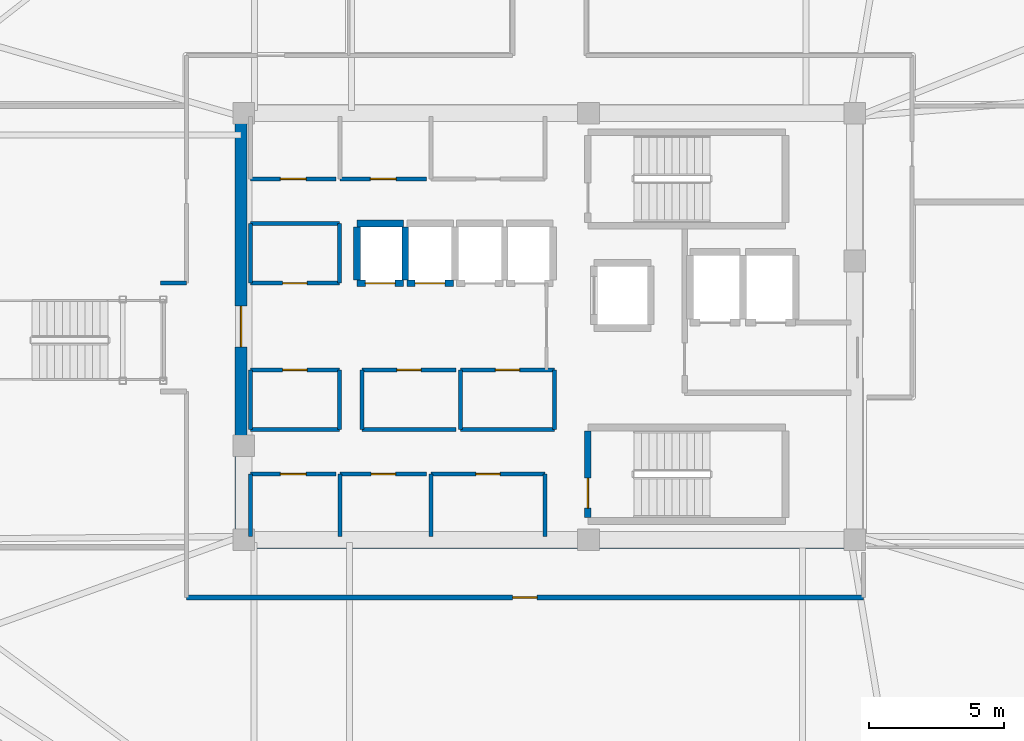
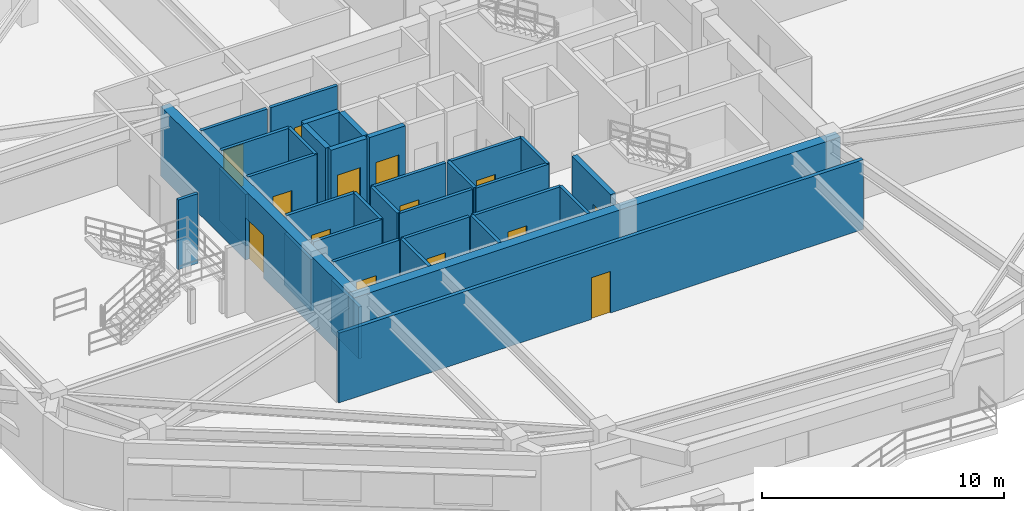
# One storey, part 12 of 18: 34 walls, 14 doors, 14 openings.
"""IFC4 building model written with IfcOpenShell, lengths in metres."""

from ifc_helpers import new_model, si_unit, direction, frame, frame_2d, origin, place, context, subcontext, project, spatial, rectangle, extrude, material, layer, layer_set, type_object, element, fill, save


model = new_model("IFC4")

# Units and contexts
model_context = context("Model", 3, precision=1e-05, world=origin(), true_north=direction((0.0, 1.0)))
body_context = subcontext(model_context, "Body", "Model", "MODEL_VIEW")
ifc_project = project(units=[si_unit("LENGTHUNIT", "METRE"), si_unit("AREAUNIT", "SQUARE_METRE"), si_unit("VOLUMEUNIT", "CUBIC_METRE"), si_unit("PLANEANGLEUNIT", "RADIAN"), si_unit("MASSUNIT", "GRAM", prefix="KILO")], contexts=[model_context])

# Site, building, storey
site_placement = place(None, origin())
site = spatial("IfcSite", under=ifc_project, at=site_placement, CompositionType="ELEMENT")
building_placement = place(site_placement, origin())
building = spatial("IfcBuilding", under=site, at=building_placement, Name="Zulverin Broadcast Headquarters", CompositionType="ELEMENT")
storey_placement = place(building_placement, frame((0.0, 0.0, 225.0)))
storey = spatial("IfcBuildingStorey", under=building, at=storey_placement, Name="L57", CompositionType="ELEMENT", Elevation=225.0)

# Wall
ifc_material_1 = material(Name="Concrete C50/60", Category="concrete")
ifc_layer_1 = layer(ifc_material_1, 0.449951171875, Name="Concrete C50/60", Category="concrete")
ifc_layer_set_1 = layer_set([ifc_layer_1], Name="Concrete C50/60")
wall_type_1 = type_object("IfcWallType", Name="WL-CORE-450", PredefinedType="SHEAR", material=ifc_layer_set_1)
wall_1_placement = place(storey_placement, frame((25.39990234375, 17.22509765625, 0.0), z_axis=(0.0, 0.0, 1.0), x_axis=(1.0, 0.0, 0.0)))
element("IfcWall", 1, at=wall_1_placement, inside=storey, type_object=wall_type_1, Name="L57 Core South Shear Wall", PredefinedType="SHEAR", context=body_context, shape_type="SweptSolid", body=[
    extrude(rectangle(XDim=23.2001953125, YDim=0.449951171875, at=frame_2d((11.60009765625, 0.0))), origin(), (0.0, 0.0, 1.0), 3.510009765625),
])

# Wall, opening, door
wall_2_placement = place(storey_placement, frame((25.625, 17.449951171875, 0.0), z_axis=(0.0, 0.0, 1.0), x_axis=(0.0, 1.0, 0.0)))
wall_2 = element("IfcWall", 2, at=wall_2_placement, inside=storey, type_object=wall_type_1, Name="L57 Core West Shear Wall", PredefinedType="SHEAR", context=body_context, shape_type="SweptSolid", body=[
    extrude(rectangle(XDim=15.5, YDim=0.449951171875, at=frame_2d((7.75, 0.0))), origin(), (0.0, 0.0, 1.0), 3.510009765625),
])
opening_1_placement = place(wall_2_placement, frame((7.0, 0.0, 0.0)))
opening_1 = element("IfcOpeningElement", 3, at=opening_1_placement, cuts=wall_2, Name="Opening D-L57-CW1", PredefinedType="OPENING", context=body_context, shape_type="SweptSolid", body=[
    extrude(rectangle(XDim=1.5, YDim=2.14990234375, at=frame_2d((0.75, 1.074951171875))), frame((0.0, 0.23486328125, 0.0), z_axis=(0.0, -1.0, 0.0), x_axis=(1.0, 0.0, 0.0)), (0.0, 0.0, 1.0), 0.469970703125),
])
ifc_material_2 = material(Name="Fire-rated glazed steel frame", Category="steel")
door_type_1 = type_object("IfcDoorType", Name="DR-COR-1500", OperationType="DOUBLE_DOOR_SINGLE_SWING", PredefinedType="DOOR", material=ifc_material_2)
door_1_placement = place(opening_1_placement, origin())
door_1 = element("IfcDoor", 4, at=door_1_placement, inside=storey, type_object=door_type_1, Name="L57 Central Lift Lobby West Portal Door", OperationType="DOUBLE_DOOR_SINGLE_SWING", OverallHeight=2.14990234375, OverallWidth=1.5, PredefinedType="DOOR", context=body_context, shape_type="SweptSolid", body=[
    extrude(rectangle(XDim=1.5, YDim=2.14990234375, at=frame_2d((0.75, 1.074951171875))), frame((0.0, 0.02490234375, 0.0), z_axis=(0.0, -1.0, 0.0), x_axis=(1.0, 0.0, 0.0)), (0.0, 0.0, 1.0), 0.050048828125),
])
fill(opening_1, door_1)

ifc_material_3 = material(Name="Fire-rated gypsum stud partition", Category="gypsum")
ifc_layer_2 = layer(ifc_material_3, 0.14990234375, Name="Fire-rated gypsum stud partition", Category="gypsum")
ifc_layer_set_2 = layer_set([ifc_layer_2], Name="Fire-rated gypsum stud partition")
wall_type_2 = type_object("IfcWallType", Name="WL-PART-150", PredefinedType="PARTITIONING", material=ifc_layer_set_2)
wall_3_placement = place(storey_placement, frame((25.969970703125, 30.64990234375, 0.0), z_axis=(0.0, 0.0, 1.0), x_axis=(1.0, 0.0, 0.0)))
wall_3 = element("IfcWall", 5, at=wall_3_placement, inside=storey, type_object=wall_type_2, Name="L57 Core Male WC Front Wall", PredefinedType="PARTITIONING", context=body_context, shape_type="SweptSolid", body=[
    extrude(rectangle(XDim=3.150146484375, YDim=0.14990234375, at=frame_2d((1.5751953125, 0.0))), origin(), (0.0, 0.0, 1.0), 3.510009765625),
])
opening_2_placement = place(wall_3_placement, frame((1.10009765625, 0.0, 0.0)))
opening_2 = element("IfcOpeningElement", 6, at=opening_2_placement, cuts=wall_3, Name="Opening D-L57-NC1", PredefinedType="OPENING", context=body_context, shape_type="SweptSolid", body=[
    extrude(rectangle(XDim=0.949951171875, YDim=2.10009765625, at=frame_2d((0.47509765625, 1.050048828125))), frame((0.0, 0.0849609375, 0.0), z_axis=(0.0, -1.0, 0.0), x_axis=(1.0, 0.0, 0.0)), (0.0, 0.0, 1.0), 0.169921875),
])
ifc_material_4 = material(Name="Fire-rated moisture-resistant laminate leaf", Category="wood")
door_type_2 = type_object("IfcDoorType", Name="DR-WC-950", OperationType="SINGLE_SWING_LEFT", PredefinedType="DOOR", material=ifc_material_4)
door_2_placement = place(opening_2_placement, origin())
door_2 = element("IfcDoor", 7, at=door_2_placement, inside=storey, type_object=door_type_2, Name="L57 Male WC Door", OperationType="SINGLE_SWING_LEFT", OverallHeight=2.10009765625, OverallWidth=0.949951171875, PredefinedType="DOOR", context=body_context, shape_type="SweptSolid", body=[
    extrude(rectangle(XDim=0.949951171875, YDim=2.10009765625, at=frame_2d((0.47509765625, 1.050048828125))), frame((0.0, 0.02490234375, 0.0), z_axis=(0.0, -1.0, 0.0), x_axis=(1.0, 0.0, 0.0)), (0.0, 0.0, 1.0), 0.050048828125),
])
fill(opening_2, door_2)

wall_4_placement = place(storey_placement, frame((29.280029296875, 30.64990234375, 0.0), z_axis=(0.0, 0.0, 1.0), x_axis=(1.0, 0.0, 0.0)))
wall_4 = element("IfcWall", 8, at=wall_4_placement, inside=storey, type_object=wall_type_2, Name="L57 Core Accessible WC Front Wall", PredefinedType="PARTITIONING", context=body_context, shape_type="SweptSolid", body=[
    extrude(rectangle(XDim=3.18994140625, YDim=0.14990234375, at=frame_2d((1.594970703125, 0.0))), origin(), (0.0, 0.0, 1.0), 3.510009765625),
])
opening_3_placement = place(wall_4_placement, frame((1.1201171875, 0.0, 0.0)))
opening_3 = element("IfcOpeningElement", 9, at=opening_3_placement, cuts=wall_4, Name="Opening D-L57-NC2", PredefinedType="OPENING", context=body_context, shape_type="SweptSolid", body=[
    extrude(rectangle(XDim=0.949951171875, YDim=2.10009765625, at=frame_2d((0.47509765625, 1.050048828125))), frame((0.0, 0.0849609375, 0.0), z_axis=(0.0, -1.0, 0.0), x_axis=(1.0, 0.0, 0.0)), (0.0, 0.0, 1.0), 0.169921875),
])
door_3_placement = place(opening_3_placement, origin())
door_3 = element("IfcDoor", 10, at=door_3_placement, inside=storey, type_object=door_type_2, Name="L57 Accessible WC Door", OperationType="SINGLE_SWING_RIGHT", OverallHeight=2.10009765625, OverallWidth=0.949951171875, PredefinedType="DOOR", context=body_context, shape_type="SweptSolid", body=[
    extrude(rectangle(XDim=0.949951171875, YDim=2.10009765625, at=frame_2d((0.47509765625, 1.050048828125))), frame((0.0, 0.02490234375, 0.0), z_axis=(0.0, -1.0, 0.0), x_axis=(1.0, 0.0, 0.0)), (0.0, 0.0, 1.0), 0.050048828125),
])
fill(opening_3, door_3)

wall_5_placement = place(storey_placement, frame((25.969970703125, 19.75, 0.0), z_axis=(0.0, 0.0, 1.0), x_axis=(1.0, 0.0, 0.0)))
wall_5 = element("IfcWall", 11, at=wall_5_placement, inside=storey, type_object=wall_type_2, Name="L57 Core Female WC Front Wall", PredefinedType="PARTITIONING", context=body_context, shape_type="SweptSolid", body=[
    extrude(rectangle(XDim=3.150146484375, YDim=0.14990234375, at=frame_2d((1.5751953125, 0.0))), origin(), (0.0, 0.0, 1.0), 3.510009765625),
])
opening_4_placement = place(wall_5_placement, frame((1.10009765625, 0.0, 0.0)))
opening_4 = element("IfcOpeningElement", 12, at=opening_4_placement, cuts=wall_5, Name="Opening D-L57-SC1", PredefinedType="OPENING", context=body_context, shape_type="SweptSolid", body=[
    extrude(rectangle(XDim=0.949951171875, YDim=2.10009765625, at=frame_2d((0.47509765625, 1.050048828125))), frame((0.0, 0.0849609375, 0.0), z_axis=(0.0, -1.0, 0.0), x_axis=(1.0, 0.0, 0.0)), (0.0, 0.0, 1.0), 0.169921875),
])
door_4_placement = place(opening_4_placement, origin())
door_4 = element("IfcDoor", 13, at=door_4_placement, inside=storey, type_object=door_type_2, Name="L57 Female WC Door", OperationType="SINGLE_SWING_RIGHT", OverallHeight=2.10009765625, OverallWidth=0.949951171875, PredefinedType="DOOR", context=body_context, shape_type="SweptSolid", body=[
    extrude(rectangle(XDim=0.949951171875, YDim=2.10009765625, at=frame_2d((0.47509765625, 1.050048828125))), frame((0.0, 0.02490234375, 0.0), z_axis=(0.0, -1.0, 0.0), x_axis=(1.0, 0.0, 0.0)), (0.0, 0.0, 1.0), 0.050048828125),
])
fill(opening_4, door_4)

# Wall
wall_6_placement = place(storey_placement, frame((25.969970703125, 17.449951171875, 0.0), z_axis=(0.0, 0.0, 1.0), x_axis=(0.0, 1.0, 0.0)))
element("IfcWall", 14, at=wall_6_placement, inside=storey, type_object=wall_type_2, Name="L57 Core Female WC West Wall", PredefinedType="PARTITIONING", context=body_context, shape_type="SweptSolid", body=[
    extrude(rectangle(XDim=2.300048828125, YDim=0.14990234375, at=frame_2d((1.14990234375, 0.0))), origin(), (0.0, 0.0, 1.0), 2.610107421875),
])

# Wall, opening, door
wall_7_placement = place(storey_placement, frame((29.280029296875, 19.75, 0.0), z_axis=(0.0, 0.0, 1.0), x_axis=(1.0, 0.0, 0.0)))
wall_7 = element("IfcWall", 15, at=wall_7_placement, inside=storey, type_object=wall_type_2, Name="L57 Core Cleaner Store Front Wall", PredefinedType="PARTITIONING", context=body_context, shape_type="SweptSolid", body=[
    extrude(rectangle(XDim=3.18994140625, YDim=0.14990234375, at=frame_2d((1.594970703125, 0.0))), origin(), (0.0, 0.0, 1.0), 3.510009765625),
])
opening_5_placement = place(wall_7_placement, frame((1.14501953125, 0.0, 0.0)))
opening_5 = element("IfcOpeningElement", 16, at=opening_5_placement, cuts=wall_7, Name="Opening D-L57-SC2", PredefinedType="OPENING", context=body_context, shape_type="SweptSolid", body=[
    extrude(rectangle(XDim=0.89990234375, YDim=2.10009765625, at=frame_2d((0.449951171875, 1.050048828125))), frame((0.0, 0.0849609375, 0.0), z_axis=(0.0, -1.0, 0.0), x_axis=(1.0, 0.0, 0.0)), (0.0, 0.0, 1.0), 0.169921875),
])
ifc_material_5 = material(Name="Powder-coated steel access leaf", Category="steel")
door_type_3 = type_object("IfcDoorType", Name="DR-RISER-900", OperationType="SINGLE_SWING_LEFT", PredefinedType="DOOR", material=ifc_material_5)
door_5_placement = place(opening_5_placement, origin())
door_5 = element("IfcDoor", 17, at=door_5_placement, inside=storey, type_object=door_type_3, Name="L57 Cleaner Store Door", OperationType="SINGLE_SWING_LEFT", OverallHeight=2.10009765625, OverallWidth=0.89990234375, PredefinedType="DOOR", context=body_context, shape_type="SweptSolid", body=[
    extrude(rectangle(XDim=0.89990234375, YDim=2.10009765625, at=frame_2d((0.449951171875, 1.050048828125))), frame((0.0, 0.02490234375, 0.0), z_axis=(0.0, -1.0, 0.0), x_axis=(1.0, 0.0, 0.0)), (0.0, 0.0, 1.0), 0.050048828125),
])
fill(opening_5, door_5)

# Wall
wall_8_placement = place(storey_placement, frame((29.280029296875, 17.449951171875, 0.0), z_axis=(0.0, 0.0, 1.0), x_axis=(0.0, 1.0, 0.0)))
element("IfcWall", 18, at=wall_8_placement, inside=storey, type_object=wall_type_2, Name="L57 Core Cleaner Store West Wall", PredefinedType="PARTITIONING", context=body_context, shape_type="SweptSolid", body=[
    extrude(rectangle(XDim=2.300048828125, YDim=0.14990234375, at=frame_2d((1.14990234375, 0.0))), origin(), (0.0, 0.0, 1.0), 3.510009765625),
])

# Wall, opening, door
wall_9_placement = place(storey_placement, frame((32.6298828125, 19.75, 0.0), z_axis=(0.0, 0.0, 1.0), x_axis=(1.0, 0.0, 0.0)))
wall_9 = element("IfcWall", 19, at=wall_9_placement, inside=storey, type_object=wall_type_2, Name="L57 Core Broadcast Fibre Riser Front Wall", PredefinedType="PARTITIONING", context=body_context, shape_type="SweptSolid", body=[
    extrude(rectangle(XDim=4.22021484375, YDim=0.14990234375, at=frame_2d((2.110107421875, 0.0))), origin(), (0.0, 0.0, 1.0), 3.510009765625),
])
opening_6_placement = place(wall_9_placement, frame((1.659912109375, 0.0, 0.0)))
opening_6 = element("IfcOpeningElement", 20, at=opening_6_placement, cuts=wall_9, Name="Opening D-L57-SC3", PredefinedType="OPENING", context=body_context, shape_type="SweptSolid", body=[
    extrude(rectangle(XDim=0.89990234375, YDim=2.10009765625, at=frame_2d((0.449951171875, 1.050048828125))), frame((0.0, 0.0849609375, 0.0), z_axis=(0.0, -1.0, 0.0), x_axis=(1.0, 0.0, 0.0)), (0.0, 0.0, 1.0), 0.169921875),
])
door_6_placement = place(opening_6_placement, origin())
door_6 = element("IfcDoor", 21, at=door_6_placement, inside=storey, type_object=door_type_3, Name="L57 Broadcast Fibre Riser Door", OperationType="SINGLE_SWING_RIGHT", OverallHeight=2.10009765625, OverallWidth=0.89990234375, PredefinedType="DOOR", context=body_context, shape_type="SweptSolid", body=[
    extrude(rectangle(XDim=0.89990234375, YDim=2.10009765625, at=frame_2d((0.449951171875, 1.050048828125))), frame((0.0, 0.02490234375, 0.0), z_axis=(0.0, -1.0, 0.0), x_axis=(1.0, 0.0, 0.0)), (0.0, 0.0, 1.0), 0.050048828125),
])
fill(opening_6, door_6)

# Walls
for number, where, z_axis, x_axis, name in (
    (22, (32.6298828125, 17.449951171875, 0.0), (0.0, 0.0, 1.0), (0.0, 1.0, 0.0), "L57 Core Broadcast Fibre Riser West Wall"),
    (23, (36.85009765625, 17.449951171875, 0.0), (0.0, 0.0, 1.0), (0.0, 1.0, 0.0), "L57 Core Broadcast Fibre Riser East Wall"),
):
    element("IfcWall", number, at=place(storey_placement, frame(where, z_axis=z_axis, x_axis=x_axis)), inside=storey, type_object=wall_type_2, Name=name, PredefinedType="PARTITIONING", context=body_context, shape_type="SweptSolid", body=[
        extrude(rectangle(XDim=2.300048828125, YDim=0.14990234375, at=frame_2d((1.14990234375, 0.0))), origin(), (0.0, 0.0, 1.0), 3.510009765625),
    ])

# Wall, opening, door
wall_10_placement = place(storey_placement, frame((25.969970703125, 26.800048828125, 0.0), z_axis=(0.0, 0.0, 1.0), x_axis=(1.0, 0.0, 0.0)))
wall_10 = element("IfcWall", 24, at=wall_10_placement, inside=storey, type_object=wall_type_2, Name="L57 Core UPS Battery Store S Wall", PredefinedType="PARTITIONING", context=body_context, shape_type="SweptSolid", body=[
    extrude(rectangle(XDim=3.280029296875, YDim=0.14990234375, at=frame_2d((1.64013671875, 0.0))), origin(), (0.0, 0.0, 1.0), 3.510009765625),
])
opening_7_placement = place(wall_10_placement, frame((1.18994140625, 0.0, 0.0)))
opening_7 = element("IfcOpeningElement", 25, at=opening_7_placement, cuts=wall_10, Name="Opening D-L57-RCLN", PredefinedType="OPENING", context=body_context, shape_type="SweptSolid", body=[
    extrude(rectangle(XDim=0.89990234375, YDim=2.10009765625, at=frame_2d((0.449951171875, 1.050048828125))), frame((0.0, 0.0849609375, 0.0), z_axis=(0.0, -1.0, 0.0), x_axis=(1.0, 0.0, 0.0)), (0.0, 0.0, 1.0), 0.169921875),
])
door_7_placement = place(opening_7_placement, origin())
door_7 = element("IfcDoor", 26, at=door_7_placement, inside=storey, type_object=door_type_3, Name="L57 Core UPS Battery Store Door", OperationType="SINGLE_SWING_LEFT", OverallHeight=2.10009765625, OverallWidth=0.89990234375, PredefinedType="DOOR", context=body_context, shape_type="SweptSolid", body=[
    extrude(rectangle(XDim=0.89990234375, YDim=2.10009765625, at=frame_2d((0.449951171875, 1.050048828125))), frame((0.0, 0.02490234375, 0.0), z_axis=(0.0, -1.0, 0.0), x_axis=(1.0, 0.0, 0.0)), (0.0, 0.0, 1.0), 0.050048828125),
])
fill(opening_7, door_7)

# Walls
wall_11_placement = place(storey_placement, frame((25.969970703125, 29.0, 0.0), z_axis=(0.0, 0.0, 1.0), x_axis=(1.0, 0.0, 0.0)))
element("IfcWall", 27, at=wall_11_placement, inside=storey, type_object=wall_type_2, Name="L57 Core UPS Battery Store N Wall", PredefinedType="PARTITIONING", context=body_context, shape_type="SweptSolid", body=[
    extrude(rectangle(XDim=3.280029296875, YDim=0.14990234375, at=frame_2d((1.64013671875, 0.0))), origin(), (0.0, 0.0, 1.0), 3.510009765625),
])
wall_12_placement = place(storey_placement, frame((25.969970703125, 26.800048828125, 0.0), z_axis=(0.0, 0.0, 1.0), x_axis=(0.0, 1.0, 0.0)))
element("IfcWall", 28, at=wall_12_placement, inside=storey, type_object=wall_type_2, Name="L57 Core UPS Battery Store W Wall", PredefinedType="PARTITIONING", context=body_context, shape_type="SweptSolid", body=[
    extrude(rectangle(XDim=2.199951171875, YDim=0.14990234375, at=frame_2d((1.10009765625, 0.0))), origin(), (0.0, 0.0, 1.0), 2.610107421875),
])
wall_13_placement = place(storey_placement, frame((29.25, 26.800048828125, 0.0), z_axis=(0.0, 0.0, 1.0), x_axis=(0.0, 1.0, 0.0)))
element("IfcWall", 29, at=wall_13_placement, inside=storey, type_object=wall_type_2, Name="L57 Core UPS Battery Store E Wall", PredefinedType="PARTITIONING", context=body_context, shape_type="SweptSolid", body=[
    extrude(rectangle(XDim=2.199951171875, YDim=0.14990234375, at=frame_2d((1.10009765625, 0.0))), origin(), (0.0, 0.0, 1.0), 3.510009765625),
])
wall_14_placement = place(storey_placement, frame((25.969970703125, 21.39990234375, 0.0), z_axis=(0.0, 0.0, 1.0), x_axis=(1.0, 0.0, 0.0)))
element("IfcWall", 30, at=wall_14_placement, inside=storey, type_object=wall_type_2, Name="L57 Housekeeping Equipment Store S Wall", PredefinedType="PARTITIONING", context=body_context, shape_type="SweptSolid", body=[
    extrude(rectangle(XDim=3.280029296875, YDim=0.14990234375, at=frame_2d((1.64013671875, 0.0))), origin(), (0.0, 0.0, 1.0), 3.510009765625),
])

# Wall, opening, door
wall_15_placement = place(storey_placement, frame((25.969970703125, 23.60009765625, 0.0), z_axis=(0.0, 0.0, 1.0), x_axis=(1.0, 0.0, 0.0)))
wall_15 = element("IfcWall", 31, at=wall_15_placement, inside=storey, type_object=wall_type_2, Name="L57 Housekeeping Equipment Store N Wall", PredefinedType="PARTITIONING", context=body_context, shape_type="SweptSolid", body=[
    extrude(rectangle(XDim=3.280029296875, YDim=0.14990234375, at=frame_2d((1.64013671875, 0.0))), origin(), (0.0, 0.0, 1.0), 3.510009765625),
])
opening_8_placement = place(wall_15_placement, frame((1.18994140625, 0.0, 0.0)))
opening_8 = element("IfcOpeningElement", 32, at=opening_8_placement, cuts=wall_15, Name="Opening D-L57-RCLS", PredefinedType="OPENING", context=body_context, shape_type="SweptSolid", body=[
    extrude(rectangle(XDim=0.89990234375, YDim=2.10009765625, at=frame_2d((0.449951171875, 1.050048828125))), frame((0.0, 0.0849609375, 0.0), z_axis=(0.0, -1.0, 0.0), x_axis=(1.0, 0.0, 0.0)), (0.0, 0.0, 1.0), 0.169921875),
])
door_8_placement = place(opening_8_placement, origin())
door_8 = element("IfcDoor", 33, at=door_8_placement, inside=storey, type_object=door_type_3, Name="L57 Housekeeping Equipment Store Door", OperationType="SINGLE_SWING_RIGHT", OverallHeight=2.10009765625, OverallWidth=0.89990234375, PredefinedType="DOOR", context=body_context, shape_type="SweptSolid", body=[
    extrude(rectangle(XDim=0.89990234375, YDim=2.10009765625, at=frame_2d((0.449951171875, 1.050048828125))), frame((0.0, 0.02490234375, 0.0), z_axis=(0.0, -1.0, 0.0), x_axis=(1.0, 0.0, 0.0)), (0.0, 0.0, 1.0), 0.050048828125),
])
fill(opening_8, door_8)

# Walls
wall_16_placement = place(storey_placement, frame((25.969970703125, 21.39990234375, 0.0), z_axis=(0.0, 0.0, 1.0), x_axis=(0.0, 1.0, 0.0)))
element("IfcWall", 34, at=wall_16_placement, inside=storey, type_object=wall_type_2, Name="L57 Housekeeping Equipment Store W Wall", PredefinedType="PARTITIONING", context=body_context, shape_type="SweptSolid", body=[
    extrude(rectangle(XDim=2.2001953125, YDim=0.14990234375, at=frame_2d((1.10009765625, 0.0))), origin(), (0.0, 0.0, 1.0), 2.610107421875),
])
wall_17_placement = place(storey_placement, frame((29.25, 21.39990234375, 0.0), z_axis=(0.0, 0.0, 1.0), x_axis=(0.0, 1.0, 0.0)))
element("IfcWall", 35, at=wall_17_placement, inside=storey, type_object=wall_type_2, Name="L57 Housekeeping Equipment Store E Wall", PredefinedType="PARTITIONING", context=body_context, shape_type="SweptSolid", body=[
    extrude(rectangle(XDim=2.2001953125, YDim=0.14990234375, at=frame_2d((1.10009765625, 0.0))), origin(), (0.0, 0.0, 1.0), 3.510009765625),
])
wall_18_placement = place(storey_placement, frame((30.080078125, 21.39990234375, 0.0), z_axis=(0.0, 0.0, 1.0), x_axis=(1.0, 0.0, 0.0)))
element("IfcWall", 36, at=wall_18_placement, inside=storey, type_object=wall_type_2, Name="L57 High-Zone Archive Vault Store S Wall", PredefinedType="PARTITIONING", context=body_context, shape_type="SweptSolid", body=[
    extrude(rectangle(XDim=3.47998046875, YDim=0.14990234375, at=frame_2d((1.739990234375, 0.0))), origin(), (0.0, 0.0, 1.0), 3.510009765625),
])

# Wall, opening, door
wall_19_placement = place(storey_placement, frame((30.080078125, 23.60009765625, 0.0), z_axis=(0.0, 0.0, 1.0), x_axis=(1.0, 0.0, 0.0)))
wall_19 = element("IfcWall", 37, at=wall_19_placement, inside=storey, type_object=wall_type_2, Name="L57 High-Zone Archive Vault Store N Wall", PredefinedType="PARTITIONING", context=body_context, shape_type="SweptSolid", body=[
    extrude(rectangle(XDim=3.47998046875, YDim=0.14990234375, at=frame_2d((1.739990234375, 0.0))), origin(), (0.0, 0.0, 1.0), 3.510009765625),
])
opening_9_placement = place(wall_19_placement, frame((1.2900390625, 0.0, 0.0)))
opening_9 = element("IfcOpeningElement", 38, at=opening_9_placement, cuts=wall_19, Name="Opening D-L57-RM1", PredefinedType="OPENING", context=body_context, shape_type="SweptSolid", body=[
    extrude(rectangle(XDim=0.89990234375, YDim=2.10009765625, at=frame_2d((0.449951171875, 1.050048828125))), frame((0.0, 0.0849609375, 0.0), z_axis=(0.0, -1.0, 0.0), x_axis=(1.0, 0.0, 0.0)), (0.0, 0.0, 1.0), 0.169921875),
])
door_9_placement = place(opening_9_placement, origin())
door_9 = element("IfcDoor", 39, at=door_9_placement, inside=storey, type_object=door_type_3, Name="L57 High-Zone Archive Vault Store Door", OperationType="SINGLE_SWING_LEFT", OverallHeight=2.10009765625, OverallWidth=0.89990234375, PredefinedType="DOOR", context=body_context, shape_type="SweptSolid", body=[
    extrude(rectangle(XDim=0.89990234375, YDim=2.10009765625, at=frame_2d((0.449951171875, 1.050048828125))), frame((0.0, 0.02490234375, 0.0), z_axis=(0.0, -1.0, 0.0), x_axis=(1.0, 0.0, 0.0)), (0.0, 0.0, 1.0), 0.050048828125),
])
fill(opening_9, door_9)

# Walls
wall_20_placement = place(storey_placement, frame((30.080078125, 21.39990234375, 0.0), z_axis=(0.0, 0.0, 1.0), x_axis=(0.0, 1.0, 0.0)))
element("IfcWall", 40, at=wall_20_placement, inside=storey, type_object=wall_type_2, Name="L57 High-Zone Archive Vault Store W Wall", PredefinedType="PARTITIONING", context=body_context, shape_type="SweptSolid", body=[
    extrude(rectangle(XDim=2.2001953125, YDim=0.14990234375, at=frame_2d((1.10009765625, 0.0))), origin(), (0.0, 0.0, 1.0), 3.510009765625),
])
wall_21_placement = place(storey_placement, frame((33.719970703125, 21.39990234375, 0.0), z_axis=(0.0, 0.0, 1.0), x_axis=(1.0, 0.0, 0.0)))
element("IfcWall", 41, at=wall_21_placement, inside=storey, type_object=wall_type_2, Name="L57 Executive Floor Pantry Store S Wall", PredefinedType="PARTITIONING", context=body_context, shape_type="SweptSolid", body=[
    extrude(rectangle(XDim=3.47998046875, YDim=0.14990234375, at=frame_2d((1.739990234375, 0.0))), origin(), (0.0, 0.0, 1.0), 3.510009765625),
])

# Wall, opening, door
wall_22_placement = place(storey_placement, frame((33.719970703125, 23.60009765625, 0.0), z_axis=(0.0, 0.0, 1.0), x_axis=(1.0, 0.0, 0.0)))
wall_22 = element("IfcWall", 42, at=wall_22_placement, inside=storey, type_object=wall_type_2, Name="L57 Executive Floor Pantry Store N Wall", PredefinedType="PARTITIONING", context=body_context, shape_type="SweptSolid", body=[
    extrude(rectangle(XDim=3.47998046875, YDim=0.14990234375, at=frame_2d((1.739990234375, 0.0))), origin(), (0.0, 0.0, 1.0), 3.510009765625),
])
opening_10_placement = place(wall_22_placement, frame((1.2900390625, 0.0, 0.0)))
opening_10 = element("IfcOpeningElement", 43, at=opening_10_placement, cuts=wall_22, Name="Opening D-L57-RM2", PredefinedType="OPENING", context=body_context, shape_type="SweptSolid", body=[
    extrude(rectangle(XDim=0.89990234375, YDim=2.10009765625, at=frame_2d((0.449951171875, 1.050048828125))), frame((0.0, 0.0849609375, 0.0), z_axis=(0.0, -1.0, 0.0), x_axis=(1.0, 0.0, 0.0)), (0.0, 0.0, 1.0), 0.169921875),
])
door_10_placement = place(opening_10_placement, origin())
door_10 = element("IfcDoor", 44, at=door_10_placement, inside=storey, type_object=door_type_3, Name="L57 Executive Floor Pantry Store Door", OperationType="SINGLE_SWING_RIGHT", OverallHeight=2.10009765625, OverallWidth=0.89990234375, PredefinedType="DOOR", context=body_context, shape_type="SweptSolid", body=[
    extrude(rectangle(XDim=0.89990234375, YDim=2.10009765625, at=frame_2d((0.449951171875, 1.050048828125))), frame((0.0, 0.02490234375, 0.0), z_axis=(0.0, -1.0, 0.0), x_axis=(1.0, 0.0, 0.0)), (0.0, 0.0, 1.0), 0.050048828125),
])
fill(opening_10, door_10)

# Walls
for number, where, z_axis, x_axis, name in (
    (45, (33.719970703125, 21.39990234375, 0.0), (0.0, 0.0, 1.0), (0.0, 1.0, 0.0), "L57 Executive Floor Pantry Store W Wall"),
    (46, (37.199951171875, 21.39990234375, 0.0), (0.0, 0.0, 1.0), (0.0, 1.0, 0.0), "L57 Executive Floor Pantry Store E Wall"),
):
    element("IfcWall", number, at=place(storey_placement, frame(where, z_axis=z_axis, x_axis=x_axis)), inside=storey, type_object=wall_type_2, Name=name, PredefinedType="PARTITIONING", context=body_context, shape_type="SweptSolid", body=[
        extrude(rectangle(XDim=2.2001953125, YDim=0.14990234375, at=frame_2d((1.10009765625, 0.0))), origin(), (0.0, 0.0, 1.0), 3.510009765625),
    ])
wall_23_placement = place(storey_placement, frame((22.64990234375, 26.800048828125, 0.0), z_axis=(0.0, 0.0, 1.0), x_axis=(1.0, 0.0, 0.0)))
element("IfcWall", 47, at=wall_23_placement, inside=storey, type_object=wall_type_2, Name="L57 Gallery Partition Wall CG-13", PredefinedType="PARTITIONING", context=body_context, shape_type="SweptSolid", body=[
    extrude(rectangle(XDim=0.9501953125, YDim=0.14990234375, at=frame_2d((0.47509765625, 0.0))), origin(), (0.0, 0.0, 1.0), 3.510009765625),
])

# Wall, opening, door
ifc_material_6 = material(Name="Fire-rated acoustic stud wall", Category="gypsum")
ifc_layer_3 = layer(ifc_material_6, 0.175048828125, Name="Fire-rated acoustic stud wall", Category="gypsum")
ifc_layer_set_3 = layer_set([ifc_layer_3], Name="Fire-rated acoustic stud wall")
wall_type_3 = type_object("IfcWallType", Name="WL-PART-175", PredefinedType="PARTITIONING", material=ifc_layer_set_3)
wall_24_placement = place(storey_placement, frame((23.60009765625, 15.199951171875, 0.0), z_axis=(0.0, 0.0, 1.0), x_axis=(1.0, 0.0, 0.0)))
wall_24 = element("IfcWall", 48, at=wall_24_placement, inside=storey, type_object=wall_type_3, Name="L57 Gallery Partition Wall CG-08", PredefinedType="PARTITIONING", context=body_context, shape_type="SweptSolid", body=[
    extrude(rectangle(XDim=25.0, YDim=0.175048828125, at=frame_2d((12.5, 0.0))), origin(), (0.0, 0.0, 1.0), 3.510009765625),
])
opening_11_placement = place(wall_24_placement, frame((12.050048828125, 0.0, 0.0)))
opening_11 = element("IfcOpeningElement", 49, at=opening_11_placement, cuts=wall_24, Name="Opening D-L57-04", PredefinedType="OPENING", context=body_context, shape_type="SweptSolid", body=[
    extrude(rectangle(XDim=0.89990234375, YDim=2.10009765625, at=frame_2d((0.449951171875, 1.050048828125))), frame((0.0, 0.097412109375, 0.0), z_axis=(0.0, -1.0, 0.0), x_axis=(1.0, 0.0, 0.0)), (0.0, 0.0, 1.0), 0.195068359375),
])
ifc_material_7 = material(Name="Fire-rated hardwood veneer timber leaf", Category="wood")
door_type_4 = type_object("IfcDoorType", Name="DR-ROOM-900", OperationType="SINGLE_SWING_RIGHT", PredefinedType="DOOR", material=ifc_material_7)
door_11_placement = place(opening_11_placement, origin())
door_11 = element("IfcDoor", 50, at=door_11_placement, inside=storey, type_object=door_type_4, Name="L57 Servery Pantry Door", OperationType="SINGLE_SWING_LEFT", OverallHeight=2.10009765625, OverallWidth=0.89990234375, PredefinedType="DOOR", context=body_context, shape_type="SweptSolid", body=[
    extrude(rectangle(XDim=0.89990234375, YDim=2.10009765625, at=frame_2d((0.449951171875, 1.050048828125))), frame((0.0, 0.02490234375, 0.0), z_axis=(0.0, -1.0, 0.0), x_axis=(1.0, 0.0, 0.0)), (0.0, 0.0, 1.0), 0.050048828125),
])
fill(opening_11, door_11)

ifc_layer_4 = layer(ifc_material_1, 0.25, Name="Concrete C50/60", Category="concrete")
ifc_layer_set_4 = layer_set([ifc_layer_4], Name="Concrete C50/60")
wall_type_4 = type_object("IfcWallType", Name="WL-SHAFT-250", PredefinedType="SHEAR", material=ifc_layer_set_4)
wall_25_placement = place(storey_placement, frame((38.425048828125, 18.14990234375, 0.0), z_axis=(0.0, 0.0, 1.0), x_axis=(0.0, 1.0, 0.0)))
wall_25 = element("IfcWall", 51, at=wall_25_placement, inside=storey, type_object=wall_type_4, Name="L57 ST-2 Enclosure Wall W", PredefinedType="SHEAR", context=body_context, shape_type="SweptSolid", body=[
    extrude(rectangle(XDim=3.2001953125, YDim=0.25, at=frame_2d((1.60009765625, 0.0))), origin(), (0.0, 0.0, 1.0), 3.510009765625),
])
opening_12_placement = place(wall_25_placement, frame((0.35009765625, 0.0, 0.0)))
opening_12 = element("IfcOpeningElement", 52, at=opening_12_placement, cuts=wall_25, Name="Opening D-L57-ST-2", PredefinedType="OPENING", context=body_context, shape_type="SweptSolid", body=[
    extrude(rectangle(XDim=1.10009765625, YDim=2.14990234375, at=frame_2d((0.550048828125, 1.074951171875))), frame((0.0, 0.135009765625, 0.0), z_axis=(0.0, -1.0, 0.0), x_axis=(1.0, 0.0, 0.0)), (0.0, 0.0, 1.0), 0.27001953125),
])
ifc_material_8 = material(Name="Fire-rated steel leaf and frame", Category="steel")
door_type_5 = type_object("IfcDoorType", Name="DR-STAIR-1100", OperationType="SINGLE_SWING_LEFT", PredefinedType="DOOR", material=ifc_material_8)
door_12_placement = place(opening_12_placement, origin())
door_12 = element("IfcDoor", 53, at=door_12_placement, inside=storey, type_object=door_type_5, Name="L57 Exit Stair ST-2 Fire Door", OperationType="SINGLE_SWING_RIGHT", OverallHeight=2.14990234375, OverallWidth=1.10009765625, PredefinedType="DOOR", context=body_context, shape_type="SweptSolid", body=[
    extrude(rectangle(XDim=1.10009765625, YDim=2.14990234375, at=frame_2d((0.550048828125, 1.074951171875))), frame((0.0, 0.02490234375, 0.0), z_axis=(0.0, -1.0, 0.0), x_axis=(1.0, 0.0, 0.0)), (0.0, 0.0, 1.0), 0.050048828125),
])
fill(opening_12, door_12)

wall_26_placement = place(storey_placement, frame((29.89990234375, 26.800048828125, 0.0), z_axis=(0.0, 0.0, 1.0), x_axis=(1.0, 0.0, 0.0)))
wall_26 = element("IfcWall", 54, at=wall_26_placement, inside=storey, type_object=wall_type_4, Name="L57 Lift PL-H1 Shaft Wall S", PredefinedType="SHEAR", context=body_context, shape_type="SweptSolid", body=[
    extrude(rectangle(XDim=1.72021484375, YDim=0.25, at=frame_2d((0.860107421875, 0.0))), origin(), (0.0, 0.0, 1.0), 3.510009765625),
])
opening_13_placement = place(wall_26_placement, frame((0.31005859375, 0.0, 0.0)))
opening_13 = element("IfcOpeningElement", 55, at=opening_13_placement, cuts=wall_26, Name="Opening LD-PL-H1-L57", PredefinedType="OPENING", context=body_context, shape_type="SweptSolid", body=[
    extrude(rectangle(XDim=1.10009765625, YDim=2.14990234375, at=frame_2d((0.550048828125, 1.074951171875))), frame((0.0, 0.135009765625, 0.0), z_axis=(0.0, -1.0, 0.0), x_axis=(1.0, 0.0, 0.0)), (0.0, 0.0, 1.0), 0.27001953125),
])
ifc_material_9 = material(Name="Brushed stainless steel landing", Category="steel")
door_type_6 = type_object("IfcDoorType", Name="LD-PASS-1100", OperationType="DOUBLE_DOOR_SLIDING", PredefinedType="DOOR", material=ifc_material_9)
door_13_placement = place(opening_13_placement, origin())
door_13 = element("IfcDoor", 56, at=door_13_placement, inside=storey, type_object=door_type_6, Name="L57 Lift PL-H1 Sliding Landing Door", OperationType="DOUBLE_DOOR_SLIDING", OverallHeight=2.14990234375, OverallWidth=1.10009765625, PredefinedType="DOOR", context=body_context, shape_type="SweptSolid", body=[
    extrude(rectangle(XDim=1.10009765625, YDim=2.14990234375, at=frame_2d((0.550048828125, 1.074951171875))), frame((0.0, 0.02490234375, 0.0), z_axis=(0.0, -1.0, 0.0), x_axis=(1.0, 0.0, 0.0)), (0.0, 0.0, 1.0), 0.050048828125),
])
fill(opening_13, door_13)

# Walls
wall_27_placement = place(storey_placement, frame((29.89990234375, 29.0, 0.0), z_axis=(0.0, 0.0, 1.0), x_axis=(1.0, 0.0, 0.0)))
element("IfcWall", 57, at=wall_27_placement, inside=storey, type_object=wall_type_4, Name="L57 Lift PL-H1 Shaft Wall N", PredefinedType="SHEAR", context=body_context, shape_type="SweptSolid", body=[
    extrude(rectangle(XDim=1.72021484375, YDim=0.25, at=frame_2d((0.860107421875, 0.0))), origin(), (0.0, 0.0, 1.0), 3.510009765625),
])
for number, where, z_axis, x_axis, name in (
    (58, (29.89990234375, 26.919921875, 0.0), (0.0, 0.0, 1.0), (0.0, 1.0, 0.0), "L57 Lift PL-H1 Shaft Wall W"),
    (59, (31.679931640625, 26.919921875, 0.0), (0.0, 0.0, 1.0), (0.0, 1.0, 0.0), "L57 Lift PL-H1 Shaft Wall E"),
):
    element("IfcWall", number, at=place(storey_placement, frame(where, z_axis=z_axis, x_axis=x_axis)), inside=storey, type_object=wall_type_4, Name=name, PredefinedType="SHEAR", context=body_context, shape_type="SweptSolid", body=[
        extrude(rectangle(XDim=1.9599609375, YDim=0.25, at=frame_2d((0.97998046875, 0.0))), origin(), (0.0, 0.0, 1.0), 3.510009765625),
    ])

# Wall, opening, door
wall_28_placement = place(storey_placement, frame((31.739990234375, 26.800048828125, 0.0), z_axis=(0.0, 0.0, 1.0), x_axis=(1.0, 0.0, 0.0)))
wall_28 = element("IfcWall", 60, at=wall_28_placement, inside=storey, type_object=wall_type_4, Name="L57 Lift PL-H2 Shaft Wall S", PredefinedType="SHEAR", context=body_context, shape_type="SweptSolid", body=[
    extrude(rectangle(XDim=1.719970703125, YDim=0.25, at=frame_2d((0.85986328125, 0.0))), origin(), (0.0, 0.0, 1.0), 3.510009765625),
])
opening_14_placement = place(wall_28_placement, frame((0.31005859375, 0.0, 0.0)))
opening_14 = element("IfcOpeningElement", 61, at=opening_14_placement, cuts=wall_28, Name="Opening LD-PL-H2-L57", PredefinedType="OPENING", context=body_context, shape_type="SweptSolid", body=[
    extrude(rectangle(XDim=1.10009765625, YDim=2.14990234375, at=frame_2d((0.550048828125, 1.074951171875))), frame((0.0, 0.135009765625, 0.0), z_axis=(0.0, -1.0, 0.0), x_axis=(1.0, 0.0, 0.0)), (0.0, 0.0, 1.0), 0.27001953125),
])
door_14_placement = place(opening_14_placement, origin())
door_14 = element("IfcDoor", 62, at=door_14_placement, inside=storey, type_object=door_type_6, Name="L57 Lift PL-H2 Sliding Landing Door", OperationType="DOUBLE_DOOR_SLIDING", OverallHeight=2.14990234375, OverallWidth=1.10009765625, PredefinedType="DOOR", context=body_context, shape_type="SweptSolid", body=[
    extrude(rectangle(XDim=1.10009765625, YDim=2.14990234375, at=frame_2d((0.550048828125, 1.074951171875))), frame((0.0, 0.02490234375, 0.0), z_axis=(0.0, -1.0, 0.0), x_axis=(1.0, 0.0, 0.0)), (0.0, 0.0, 1.0), 0.050048828125),
])
fill(opening_14, door_14)

save(model, "model.ifc")
